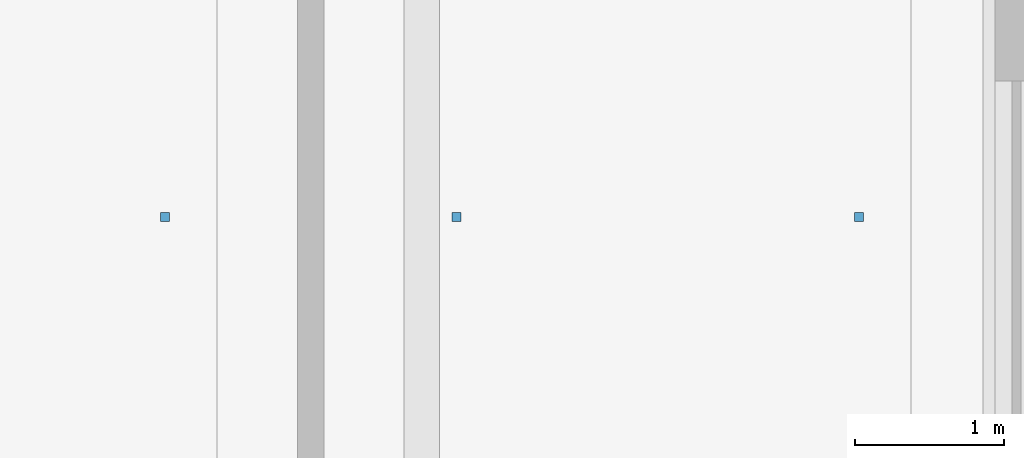
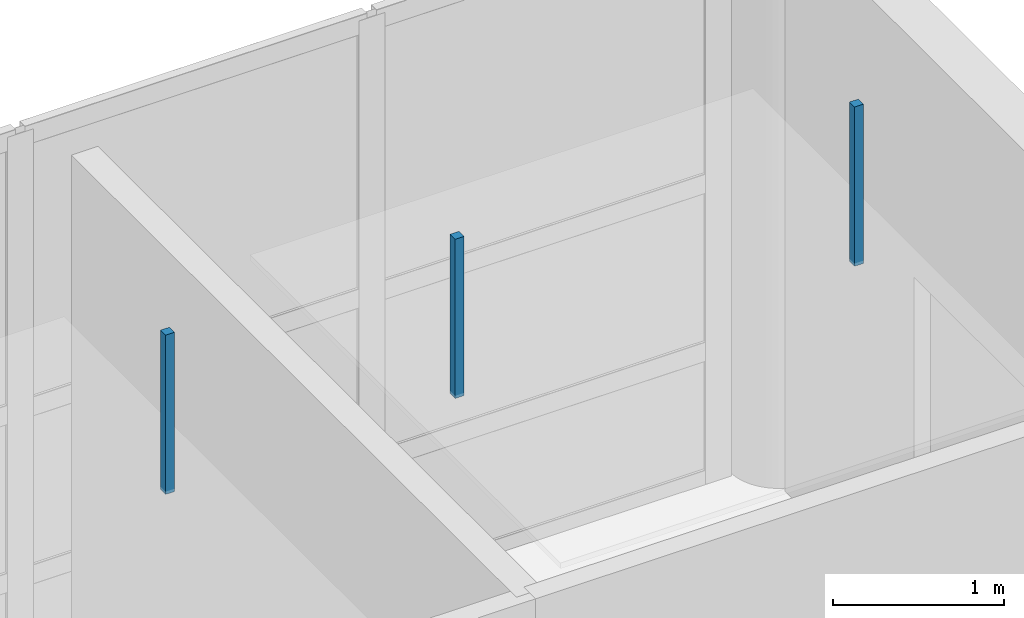
# One storey, part 84 of 107: 3 discrete accessories.
"""IFC4 building model written with IfcOpenShell, lengths in metres."""

from ifc_helpers import new_model, si_unit, direction, frame, origin, origin_2d, place, context, subcontext, project, spatial, rectangle, extrude, material, type_object, element, save


model = new_model("IFC4")

# Units and contexts
model_context = context("Model", 3, precision=1e-05, world=origin(), true_north=direction((0.0, 1.0)))
body_context = subcontext(model_context, "Body", "Model", "MODEL_VIEW")
ifc_project = project(units=[si_unit("LENGTHUNIT", "METRE"), si_unit("AREAUNIT", "SQUARE_METRE"), si_unit("VOLUMEUNIT", "CUBIC_METRE"), si_unit("PLANEANGLEUNIT", "RADIAN"), si_unit("MASSUNIT", "GRAM", prefix="KILO")], contexts=[model_context])

# Site, building, storey
site_placement = place(None, origin())
site = spatial("IfcSite", under=ifc_project, at=site_placement, CompositionType="ELEMENT")
building_placement = place(site_placement, origin())
building = spatial("IfcBuilding", under=site, at=building_placement, Name="Khelvaren Railside Concert Hall", CompositionType="ELEMENT")
storey_placement = place(building_placement, frame((0.0, 0.0, 15.0)))
storey = spatial("IfcBuildingStorey", under=building, at=storey_placement, Name="L03", CompositionType="ELEMENT", Elevation=15.0)

# Discrete accessories
ifc_material = material(Name="Galvanised steel acoustic ceiling hanger rod", Category="steel")
discrete_accessory_type = type_object("IfcDiscreteAccessoryType", Name="BRK62", PredefinedType="BRACKET", material=ifc_material)
for number, where, z_axis, x_axis, name in (
    (1, (130.27490234375, 12.449951171875, 3.43017578125), (0.0, 0.0, 1.0), (1.0, 0.0, 0.0), "Acoustic Ceiling Suspension Bracket 91-2"),
    (2, (132.235107421875, 12.449951171875, 3.43017578125), (0.0, 0.0, 1.0), (1.0, 0.0, 0.0), "Acoustic Ceiling Suspension Bracket 92-1"),
    (3, (134.93994140625, 12.449951171875, 3.43017578125), (0.0, 0.0, 1.0), (1.0, 0.0, 0.0), "Acoustic Ceiling Suspension Bracket 92-2"),
):
    element("IfcDiscreteAccessory", number, at=place(storey_placement, frame(where, z_axis=z_axis, x_axis=x_axis)), inside=storey, type_object=discrete_accessory_type, Name=name, PredefinedType="BRACKET", context=body_context, shape_type="SweptSolid", body=[
        extrude(rectangle(XDim=0.06005859375, YDim=0.06005859375, at=origin_2d()), origin(), (0.0, 0.0, 1.0), 1.139892578125),
    ])

save(model, "model.ifc")
